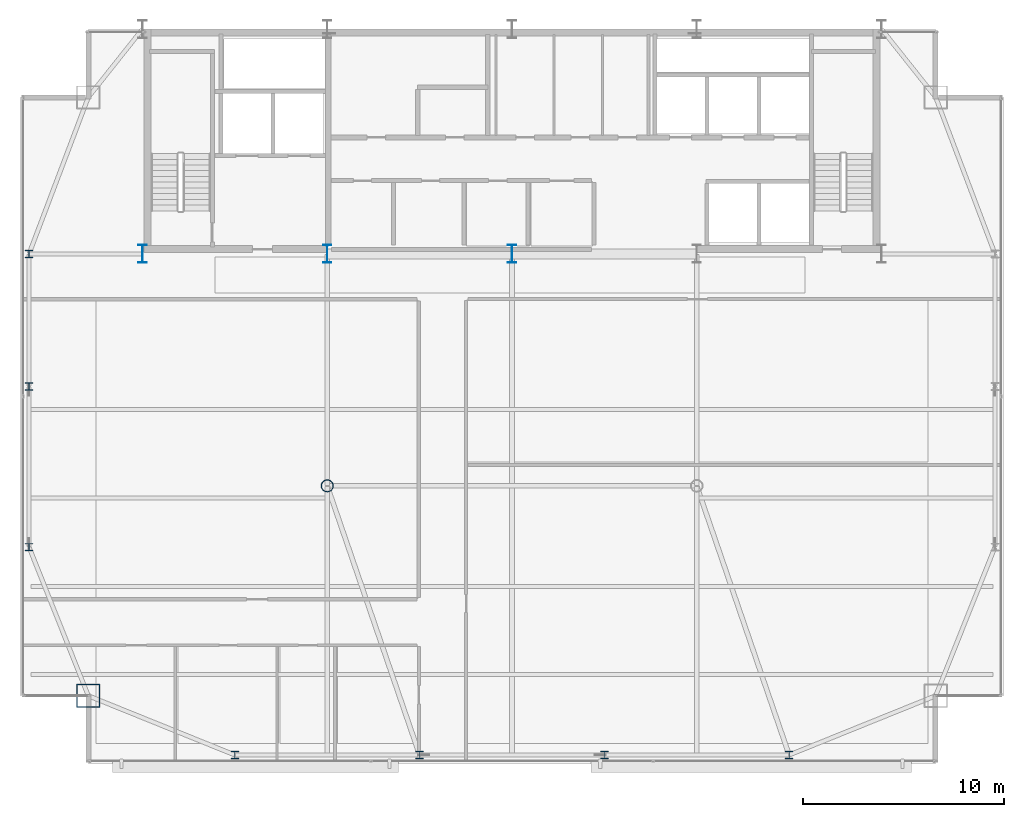
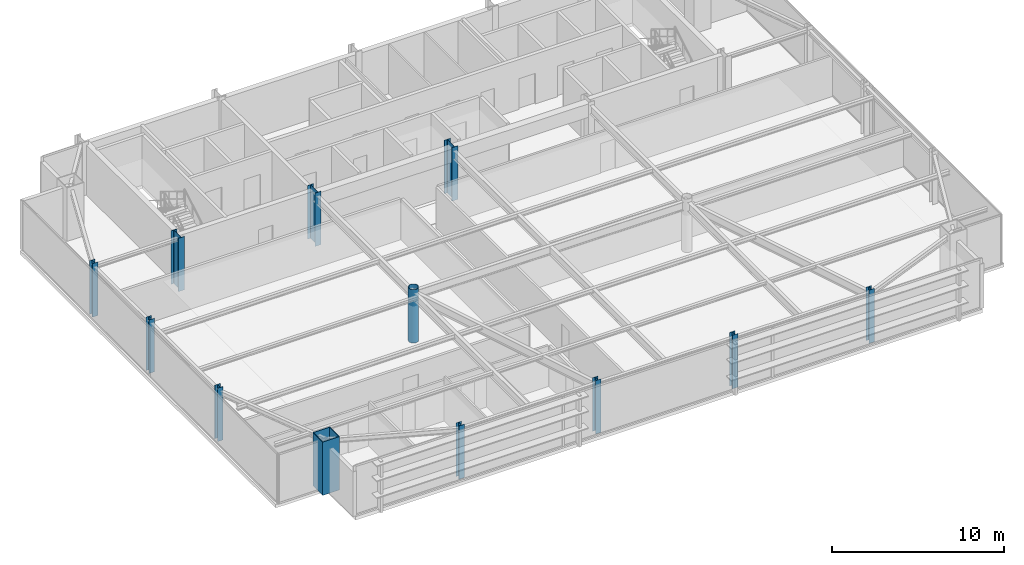
# One storey, part 1 of 25: 12 columns.
"""IFC4 building model written with IfcOpenShell, lengths in metres."""

from ifc_helpers import new_model, si_unit, direction, frame, origin, origin_2d, place, context, subcontext, project, spatial, hollow_rectangle, hollow_circle, i_section, extrude, source, transform, mapped, material, material_profile, profile_set, type_object, type_shapes, element, save


model = new_model("IFC4")

# Units and contexts
model_context = context("Model", 3, precision=1e-05, world=origin(), true_north=direction((0.0, 1.0)))
body_context = subcontext(model_context, "Body", "Model", "MODEL_VIEW")
ifc_project = project(units=[si_unit("LENGTHUNIT", "METRE"), si_unit("AREAUNIT", "SQUARE_METRE"), si_unit("VOLUMEUNIT", "CUBIC_METRE"), si_unit("PLANEANGLEUNIT", "RADIAN"), si_unit("MASSUNIT", "GRAM", prefix="KILO")], contexts=[model_context])

# Site, building, storey
site_placement = place(None, origin())
site = spatial("IfcSite", under=ifc_project, at=site_placement, CompositionType="ELEMENT")
building_placement = place(site_placement, origin())
building = spatial("IfcBuilding", under=site, at=building_placement, Name="Varnel Quay Broadcast Tower", CompositionType="ELEMENT")
storey_placement = place(building_placement, frame((0.0, 0.0, 250.800048828125)))
storey = spatial("IfcBuildingStorey", under=building, at=storey_placement, Name="L62", CompositionType="ELEMENT", Elevation=250.800048828125)

# Columns
ifc_material_1 = material(Name="Structural Steel CSA G40.21 350WT", Category="steel")
ifc_material_profile_1 = material_profile(ifc_material_1, i_section(OverallWidth=0.39990234375, OverallDepth=0.89990234375, WebThickness=0.01611328125, FlangeThickness=0.028076171875, FilletRadius=0.01611328125, at=origin_2d()), Name="WWF900X309")
ifc_profile_set_1 = profile_set([ifc_material_profile_1], Name="Structural Steel CSA G40.21 350WT")
column_type_1 = type_object("IfcColumnType", Name="Col_WWF900X309", PredefinedType="COLUMN", material=ifc_profile_set_1)
shared_shape_1 = source(origin(), body_context, "Body", "SweptSolid", [
    extrude(i_section(OverallWidth=0.39990234375, OverallDepth=0.89990234375, WebThickness=0.01611328125, FlangeThickness=0.028076171875, FilletRadius=0.01611328125, at=origin_2d()), origin(), (0.0, 0.0, 1.0), 3.800048828125),
])
type_shapes(column_type_1, [shared_shape_1])
for number, where, z_axis, x_axis, name in (
    (1, (15.60009765625, 35.60009765625, 0.0), (0.0, 0.0, 1.0), (1.0, 0.0, 0.0), "L62 Column CC-S1"),
    (2, (24.800048828125, 35.60009765625, 0.0), (0.0, 0.0, 1.0), (1.0, 0.0, 0.0), "L62 Column CC-S2"),
    (3, (34.0, 35.60009765625, 0.0), (0.0, 0.0, 1.0), (1.0, 0.0, 0.0), "L62 Column CC-S3"),
):
    element("IfcColumn", number, at=place(storey_placement, frame(where, z_axis=z_axis, x_axis=x_axis)), inside=storey, type_object=column_type_1, Name=name, PredefinedType="COLUMN", context=body_context, shape_type="MappedRepresentation", body=[
        mapped(shared_shape_1, transform((0.0, 0.0, 0.0), x_axis=(1.0, 0.0, 0.0), y_axis=(0.0, 1.0, 0.0), z_axis=(0.0, 0.0, 1.0), scale=1.0)),
    ])
ifc_material_profile_2 = material_profile(ifc_material_1, hollow_rectangle(XDim=1.14990234375, YDim=1.14990234375, WallThickness=0.044921875, at=origin_2d()), Name="BOX1150X1150X45")
ifc_profile_set_2 = profile_set([ifc_material_profile_2], Name="Structural Steel CSA G40.21 350WT")
column_type_2 = type_object("IfcColumnType", Name="Col_BOX1150X1150X45", PredefinedType="COLUMN", material=ifc_profile_set_2)
shared_shape_2 = source(origin(), body_context, "Body", "SweptSolid", [
    extrude(hollow_rectangle(XDim=1.14990234375, YDim=1.14990234375, WallThickness=0.044921875, at=origin_2d()), origin(), (0.0, 0.0, 1.0), 3.800048828125),
])
type_shapes(column_type_2, [shared_shape_2])
column_1_placement = place(storey_placement, frame((12.89990234375, 13.60009765625, 0.0), z_axis=(0.0, 0.0, 1.0), x_axis=(1.0, 0.0, 0.0)))
element("IfcColumn", 4, at=column_1_placement, inside=storey, type_object=column_type_2, Name="L62 Column MC-SW", PredefinedType="COLUMN", context=body_context, shape_type="MappedRepresentation", body=[
    mapped(shared_shape_2, transform((0.0, 0.0, 0.0), x_axis=(1.0, 0.0, 0.0), y_axis=(0.0, 1.0, 0.0), z_axis=(0.0, 0.0, 1.0), scale=1.0)),
])
ifc_material_2 = material(Name="Structural Steel CSA G40.21 350W", Category="steel")
ifc_material_profile_3 = material_profile(ifc_material_2, i_section(OverallWidth=0.368896484375, OverallDepth=0.35595703125, WebThickness=0.01123046875, FlangeThickness=0.01806640625, FilletRadius=0.01611328125, at=origin_2d()), Name="W360X134")
ifc_profile_set_3 = profile_set([ifc_material_profile_3], Name="Structural Steel CSA G40.21 350W")
column_type_3 = type_object("IfcColumnType", Name="Col_W360X134", PredefinedType="COLUMN", material=ifc_profile_set_3)
shared_shape_3 = source(origin(), body_context, "Body", "SweptSolid", [
    extrude(i_section(OverallWidth=0.368896484375, OverallDepth=0.35595703125, WebThickness=0.01123046875, FlangeThickness=0.01806640625, FilletRadius=0.01611328125, at=origin_2d()), origin(), (0.0, 0.0, 1.0), 3.800048828125),
])
type_shapes(column_type_3, [shared_shape_3])
for number, where, z_axis, x_axis, name in (
    (5, (20.199951171875, 10.64990234375, 0.0), (0.0, 0.0, 1.0), (1.0, 0.0, 0.0), "L62 Column TC-S1"),
    (6, (29.39990234375, 10.64990234375, 0.0), (0.0, 0.0, 1.0), (1.0, 0.0, 0.0), "L62 Column TC-S2"),
    (7, (38.60009765625, 10.64990234375, 0.0), (0.0, 0.0, 1.0), (1.0, 0.0, 0.0), "L62 Column TC-S3"),
    (8, (47.800048828125, 10.64990234375, 0.0), (0.0, 0.0, 1.0), (1.0, 0.0, 0.0), "L62 Column TC-S4"),
    (9, (9.949951171875, 21.0, 0.0), (0.0, 0.0, 1.0), (1.0, 0.0, 0.0), "L62 Column TC-W1"),
    (10, (9.949951171875, 29.0, 0.0), (0.0, 0.0, 1.0), (1.0, 0.0, 0.0), "L62 Column TC-W2"),
    (11, (9.949951171875, 35.60009765625, 0.0), (0.0, 0.0, 1.0), (1.0, 0.0, 0.0), "L62 Column TC-W3"),
):
    element("IfcColumn", number, at=place(storey_placement, frame(where, z_axis=z_axis, x_axis=x_axis)), inside=storey, type_object=column_type_3, Name=name, PredefinedType="COLUMN", context=body_context, shape_type="MappedRepresentation", body=[
        mapped(shared_shape_3, transform((0.0, 0.0, 0.0), x_axis=(1.0, 0.0, 0.0), y_axis=(0.0, 1.0, 0.0), z_axis=(0.0, 0.0, 1.0), scale=1.0)),
    ])
ifc_material_profile_4 = material_profile(ifc_material_2, hollow_circle(Radius=0.304931640625, WallThickness=0.02490234375, at=origin_2d()), Name="CHS610X25")
ifc_profile_set_4 = profile_set([ifc_material_profile_4], Name="Structural Steel CSA G40.21 350W")
column_type_4 = type_object("IfcColumnType", Name="Col_CHS610X25", PredefinedType="COLUMN", material=ifc_profile_set_4)
shared_shape_4 = source(origin(), body_context, "Body", "SweptSolid", [
    extrude(hollow_circle(Radius=0.304931640625, WallThickness=0.02490234375, at=origin_2d()), origin(), (0.0, 0.0, 1.0), 3.800048828125),
])
type_shapes(column_type_4, [shared_shape_4])
column_2_placement = place(storey_placement, frame((24.800048828125, 24.050048828125, 0.0), z_axis=(0.0, 0.0, 1.0), x_axis=(1.0, 0.0, 0.0)))
element("IfcColumn", 12, at=column_2_placement, inside=storey, type_object=column_type_4, Name="L62 Column IC-01", PredefinedType="COLUMN", context=body_context, shape_type="MappedRepresentation", body=[
    mapped(shared_shape_4, transform((0.0, 0.0, 0.0), x_axis=(1.0, 0.0, 0.0), y_axis=(0.0, 1.0, 0.0), z_axis=(0.0, 0.0, 1.0), scale=1.0)),
])

save(model, "model.ifc")
